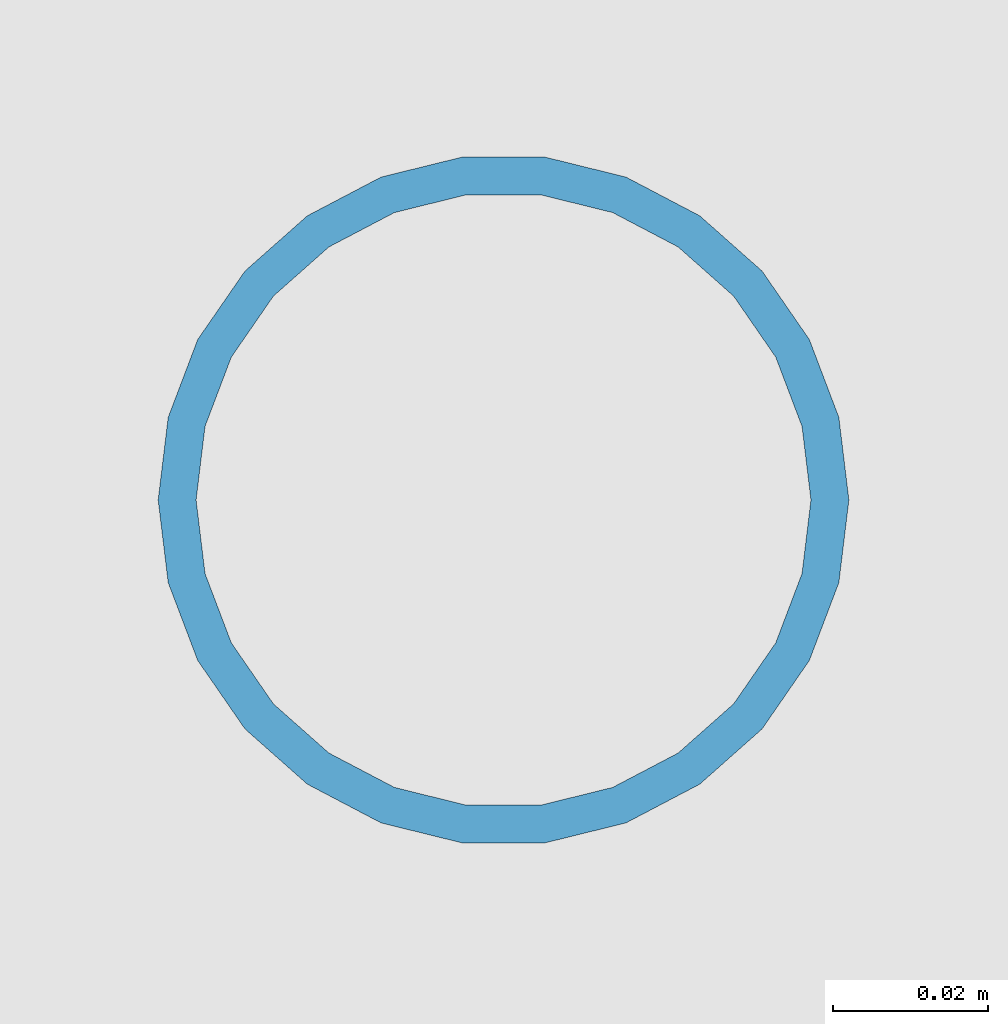
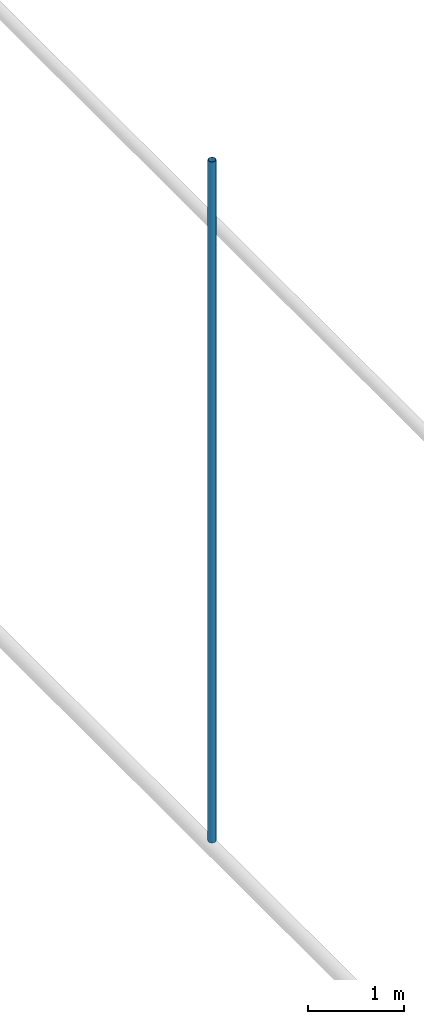
# One storey, part 26 of 109: 1 member.
"""IFC4 building model written with IfcOpenShell, lengths in metres."""

from ifc_helpers import new_model, si_unit, direction, frame, origin, origin_2d, place, context, subcontext, project, spatial, hollow_circle, extrude, material, material_profile, profile_set, type_object, element, save


model = new_model("IFC4")

# Units and contexts
model_context = context("Model", 3, precision=1e-05, world=origin(), true_north=direction((0.0, 1.0)))
body_context = subcontext(model_context, "Body", "Model", "MODEL_VIEW")
ifc_project = project(units=[si_unit("LENGTHUNIT", "METRE"), si_unit("AREAUNIT", "SQUARE_METRE"), si_unit("VOLUMEUNIT", "CUBIC_METRE"), si_unit("PLANEANGLEUNIT", "RADIAN"), si_unit("MASSUNIT", "GRAM", prefix="KILO")], contexts=[model_context])

# Site, building, storey
site_placement = place(None, origin())
site = spatial("IfcSite", under=ifc_project, at=site_placement, CompositionType="ELEMENT")
building_placement = place(site_placement, origin())
building = spatial("IfcBuilding", under=site, at=building_placement, Name="Lantern Court Research Institute", CompositionType="ELEMENT")
storey_placement = place(building_placement, frame((0.0, 0.0, 14.39990234375)))
storey = spatial("IfcBuildingStorey", under=building, at=storey_placement, Name="L03", CompositionType="ELEMENT", Elevation=14.39990234375)

# Member
ifc_material = material(Name="Structural steel S355", Category="steel")
ifc_material_profile = material_profile(ifc_material, hollow_circle(Radius=0.04443359375, WallThickness=0.0048828125, at=origin_2d()), Name="Gridshell hanger CHS 88.9 x 5")
ifc_profile_set = profile_set([ifc_material_profile], Name="Structural steel S355")
member_type = type_object("IfcMemberType", Name="Gridshell hanger CHS 88.9 x 5", PredefinedType="STRUT", material=ifc_profile_set)
member_placement = place(storey_placement, frame((62.228515625, 40.125, 0.2841796875), z_axis=(0.0, 0.0, 1.0), x_axis=(1.0, 0.0, 0.0)))
element("IfcMember", 1, at=member_placement, inside=storey, type_object=member_type, Name="Gridshell hanger", PredefinedType="STRUT", context=body_context, shape_type="SweptSolid", body=[
    extrude(hollow_circle(Radius=0.04443359375, WallThickness=0.0048828125, at=origin_2d()), origin(), (0.0, 0.0, 1.0), 8.615966796875),
])

save(model, "model.ifc")
